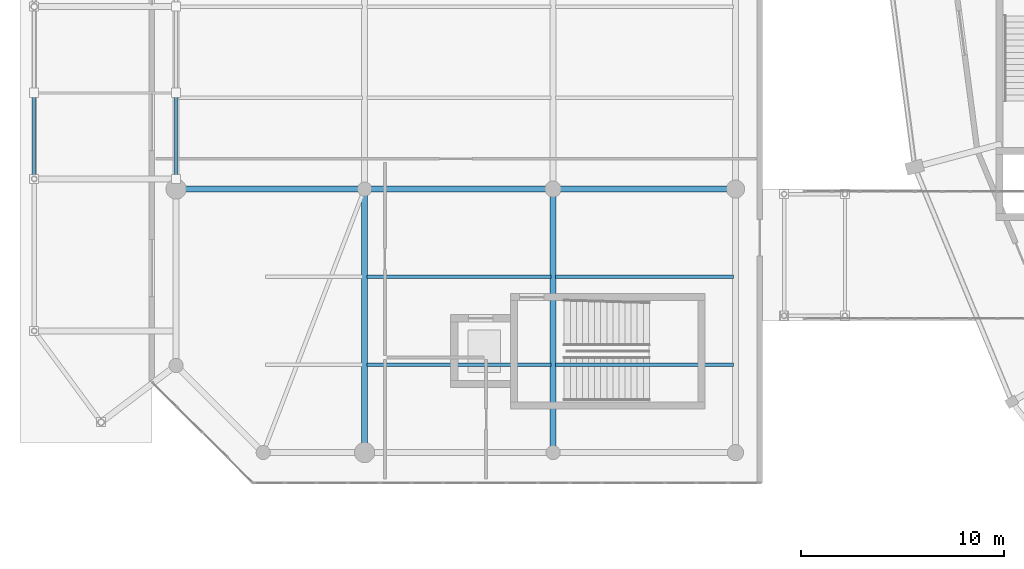
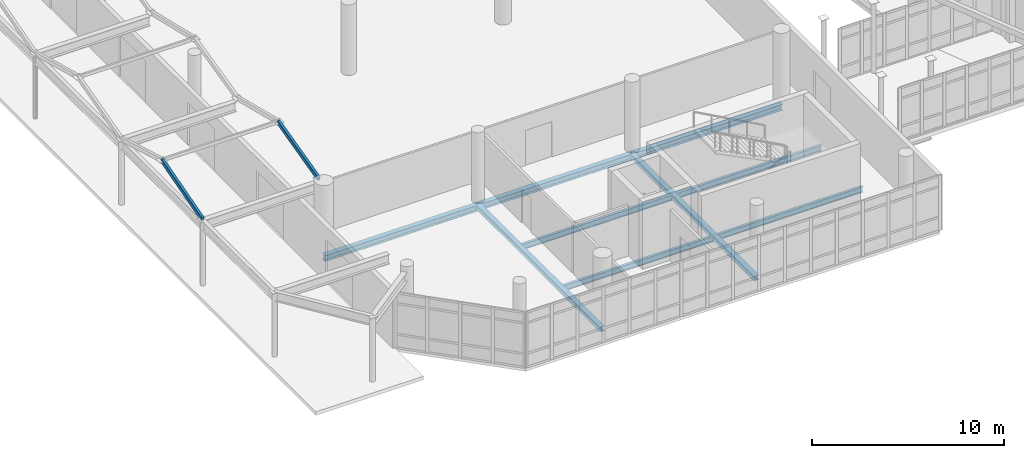
# One storey, part 29 of 122: 9 beams, 2 members.
"""IFC4 building model written with IfcOpenShell, lengths in metres."""

from ifc_helpers import new_model, si_unit, direction, frame, origin, origin_2d, place, context, subcontext, project, spatial, hollow_rectangle, i_section, extrude, material, material_profile, profile_set, type_object, element, save


model = new_model("IFC4")

# Units and contexts
model_context = context("Model", 3, precision=1e-05, world=origin(), true_north=direction((0.0, 1.0)))
body_context = subcontext(model_context, "Body", "Model", "MODEL_VIEW")
ifc_project = project(units=[si_unit("LENGTHUNIT", "METRE"), si_unit("AREAUNIT", "SQUARE_METRE"), si_unit("VOLUMEUNIT", "CUBIC_METRE"), si_unit("PLANEANGLEUNIT", "RADIAN"), si_unit("MASSUNIT", "GRAM", prefix="KILO")], contexts=[model_context])

# Site, building, storey
site_placement = place(None, origin())
site = spatial("IfcSite", under=ifc_project, at=site_placement, CompositionType="ELEMENT")
building_placement = place(site_placement, origin())
building = spatial("IfcBuilding", under=site, at=building_placement, Name="Sohan Crest Arena", CompositionType="ELEMENT")
storey_placement = place(building_placement, origin())
storey = spatial("IfcBuildingStorey", under=building, at=storey_placement, Name="L00", CompositionType="ELEMENT", Elevation=0.0)

# Beams
ifc_material = material(Name="Steel S355", Category="steel")
ifc_material_profile_1 = material_profile(ifc_material, i_section(OverallWidth=0.169921875, OverallDepth=0.360107421875, WebThickness=0.008056640625, FlangeThickness=0.0126953125, at=origin_2d()), Name="IPE 360")
ifc_profile_set_1 = profile_set([ifc_material_profile_1], Name="Steel S355")
beam_type_1 = type_object("IfcBeamType", Name="STR-BM-B02", PredefinedType="JOIST", material=ifc_profile_set_1)
for number, where, z_axis, x_axis, name in (
    (1, (24.610107421875, 55.8330078125, -0.409912109375), (1.0, 0.0, 0.0), (0.0, 1.0, 0.0), "Structural beam J-L00-1940"),
    (2, (24.610107421875, 60.1669921875, -0.409912109375), (1.0, 0.0, 0.0), (0.0, 1.0, 0.0), "Structural beam J-L00-1941"),
):
    element("IfcBeam", number, at=place(storey_placement, frame(where, z_axis=z_axis, x_axis=x_axis)), inside=storey, type_object=beam_type_1, Name=name, PredefinedType="JOIST", context=body_context, shape_type="SweptSolid", body=[
        extrude(i_section(OverallWidth=0.169921875, OverallDepth=0.360107421875, WebThickness=0.008056640625, FlangeThickness=0.0126953125, at=origin_2d()), origin(), (0.0, 0.0, 1.0), 9.079833984375),
    ])
for number, where, z_axis, x_axis, name in (
    (3, (33.909912109375, 55.8330078125, -0.409912109375), (1.0, 0.0, 0.0), (0.0, 1.0, 0.0), "Structural beam J-L00-1943"),
    (4, (33.909912109375, 60.1669921875, -0.409912109375), (1.0, 0.0, 0.0), (0.0, 1.0, 0.0), "Structural beam J-L00-1944"),
):
    element("IfcBeam", number, at=place(storey_placement, frame(where, z_axis=z_axis, x_axis=x_axis)), inside=storey, type_object=beam_type_1, Name=name, PredefinedType="JOIST", context=body_context, shape_type="SweptSolid", body=[
        extrude(i_section(OverallWidth=0.169921875, OverallDepth=0.360107421875, WebThickness=0.008056640625, FlangeThickness=0.0126953125, at=origin_2d()), origin(), (0.0, 0.0, 1.0), 8.780029296875),
    ])
ifc_material_profile_2 = material_profile(ifc_material, i_section(OverallWidth=0.300048828125, OverallDepth=0.2900390625, WebThickness=0.008544921875, FlangeThickness=0.013916015625, at=origin_2d()), Name="HEA 300")
ifc_profile_set_2 = profile_set([ifc_material_profile_2], Name="Steel S355")
beam_type_2 = type_object("IfcBeamType", Name="STR-BM-B08", PredefinedType="BEAM", material=ifc_profile_set_2)
for number, where, z_axis, x_axis, name in (
    (5, (24.5, 51.5, -0.375), (0.0, 1.0, 0.0), (-1.0, 0.0, 0.0), "Structural beam G-L00-1924"),
    (6, (33.800048828125, 51.5, -0.375), (0.0, 1.0, 0.0), (-1.0, 0.0, 0.0), "Structural beam G-L00-1928"),
):
    element("IfcBeam", number, at=place(storey_placement, frame(where, z_axis=z_axis, x_axis=x_axis)), inside=storey, type_object=beam_type_2, Name=name, PredefinedType="BEAM", context=body_context, shape_type="SweptSolid", body=[
        extrude(i_section(OverallWidth=0.300048828125, OverallDepth=0.2900390625, WebThickness=0.008544921875, FlangeThickness=0.013916015625, at=origin_2d()), origin(), (0.0, 0.0, 1.0), 13.0),
    ])
ifc_material_profile_3 = material_profile(ifc_material, i_section(OverallWidth=0.300048828125, OverallDepth=0.389892578125, WebThickness=0.010986328125, FlangeThickness=0.01904296875, at=origin_2d()), Name="HEA 400")
ifc_profile_set_3 = profile_set([ifc_material_profile_3], Name="Steel S355")
beam_type_3 = type_object("IfcBeamType", Name="STR-BM-B09", PredefinedType="BEAM", material=ifc_profile_set_3)
for number, where, z_axis, x_axis, name in (
    (7, (15.199951171875, 64.5, -0.425048828125), (1.0, 0.0, 0.0), (0.0, 1.0, 0.0), "Structural beam G-L00-1945"),
    (8, (24.5, 64.5, -0.425048828125), (1.0, 0.0, 0.0), (0.0, 1.0, 0.0), "Structural beam G-L00-1948"),
):
    element("IfcBeam", number, at=place(storey_placement, frame(where, z_axis=z_axis, x_axis=x_axis)), inside=storey, type_object=beam_type_3, Name=name, PredefinedType="BEAM", context=body_context, shape_type="SweptSolid", body=[
        extrude(i_section(OverallWidth=0.300048828125, OverallDepth=0.389892578125, WebThickness=0.010986328125, FlangeThickness=0.01904296875, at=origin_2d()), origin(), (0.0, 0.0, 1.0), 9.300048828125),
    ])
beam_placement = place(storey_placement, frame((33.800048828125, 64.5, -0.425048828125), z_axis=(1.0, 0.0, 0.0), x_axis=(0.0, 1.0, 0.0)))
element("IfcBeam", 9, at=beam_placement, inside=storey, type_object=beam_type_3, Name="Structural beam G-L00-1951", PredefinedType="BEAM", context=body_context, shape_type="SweptSolid", body=[
    extrude(i_section(OverallWidth=0.300048828125, OverallDepth=0.389892578125, WebThickness=0.010986328125, FlangeThickness=0.01904296875, at=origin_2d()), origin(), (0.0, 0.0, 1.0), 9.0),
])

# Members
ifc_material_profile_4 = material_profile(ifc_material, hollow_rectangle(XDim=0.14990234375, YDim=0.25, WallThickness=0.010009765625, at=origin_2d()), Name="RHS 250x150x10")
ifc_profile_set_4 = profile_set([ifc_material_profile_4], Name="Steel S355")
member_type = type_object("IfcMemberType", Name="STR-MEM-CH02", PredefinedType="CHORD", material=ifc_profile_set_4)
member_1_placement = place(storey_placement, frame((8.199951171875, 65.0, 4.139892578125), z_axis=(0.0, 0.961767496363, 0.273867272488), x_axis=(-1.0, 0.0, 0.0)))
element("IfcMember", 10, at=member_1_placement, inside=storey, type_object=member_type, Name="Canopy vault arch chord CVA-11A", PredefinedType="CHORD", context=body_context, shape_type="SweptSolid", body=[
    extrude(hollow_rectangle(XDim=0.14990234375, YDim=0.25, WallThickness=0.010009765625, at=origin_2d()), origin(), (0.0, 0.0, 1.0), 4.4189453125),
])
member_2_placement = place(storey_placement, frame((15.199951171875, 65.0, 4.280029296875), z_axis=(0.0, 0.969734810561, 0.244160597121), x_axis=(-1.0, 0.0, 0.0)))
element("IfcMember", 11, at=member_2_placement, inside=storey, type_object=member_type, Name="Canopy vault arch chord CVA-12A", PredefinedType="CHORD", context=body_context, shape_type="SweptSolid", body=[
    extrude(hollow_rectangle(XDim=0.14990234375, YDim=0.25, WallThickness=0.010009765625, at=origin_2d()), origin(), (0.0, 0.0, 1.0), 4.382568359375),
])

save(model, "model.ifc")
